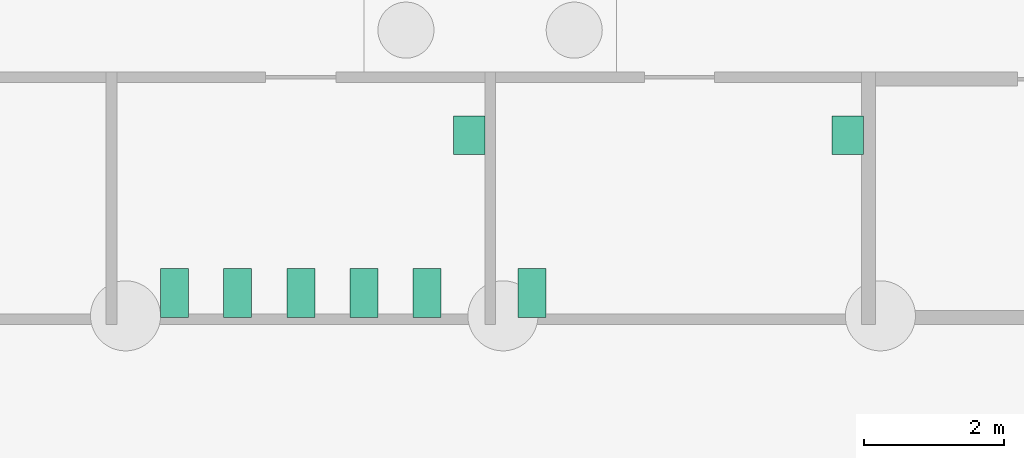
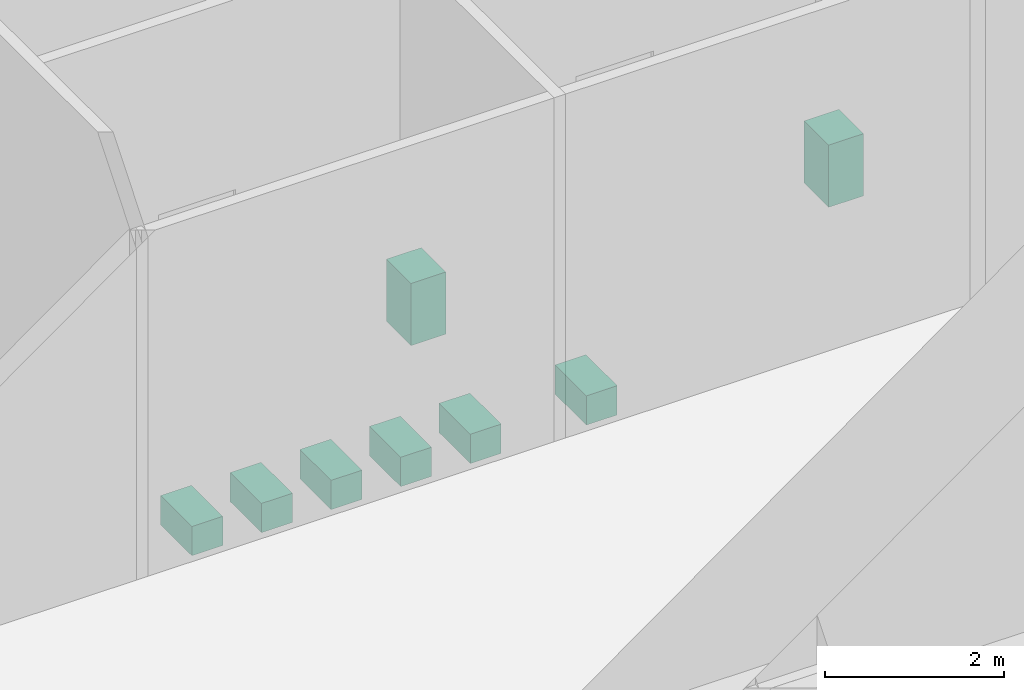
# One storey, part 38 of 39: 8 sanitary terminals.
"""IFC4 building model written with IfcOpenShell, lengths in metres."""

from ifc_helpers import new_model, si_unit, direction, frame, origin, origin_2d, place, context, subcontext, project, spatial, rectangle, extrude, element, save


model = new_model("IFC4")

# Units and contexts
model_context = context("Model", 3, precision=1e-05, world=origin(), true_north=direction((0.0, 1.0)))
body_context = subcontext(model_context, "Body", "Model", "MODEL_VIEW")
ifc_project = project(units=[si_unit("LENGTHUNIT", "METRE"), si_unit("AREAUNIT", "SQUARE_METRE"), si_unit("VOLUMEUNIT", "CUBIC_METRE"), si_unit("PLANEANGLEUNIT", "RADIAN"), si_unit("MASSUNIT", "GRAM", prefix="KILO")], contexts=[model_context])

# Site, building, storey
site_placement = place(None, origin())
site = spatial("IfcSite", under=ifc_project, at=site_placement, CompositionType="ELEMENT")
building_placement = place(site_placement, origin())
building = spatial("IfcBuilding", under=site, at=building_placement, Name="Magnolia Steps Interchange", CompositionType="ELEMENT")
storey_placement = place(building_placement, frame((0.0, 0.0, -11.39990234375)))
storey = spatial("IfcBuildingStorey", under=building, at=storey_placement, Name="B2", CompositionType="ELEMENT", Elevation=-11.39990234375)

# Sanitary terminals
for number, where, z_axis, x_axis, name in (
    (1, (37.89990234375, 59.050048828125, 0.0), (0.0, 0.0, 1.0), (1.0, 0.0, 0.0), "WC pan 1"),
    (2, (38.800048828125, 59.050048828125, 0.0), (0.0, 0.0, 1.0), (1.0, 0.0, 0.0), "WC pan 2"),
    (3, (39.699951171875, 59.050048828125, 0.0), (0.0, 0.0, 1.0), (1.0, 0.0, 0.0), "WC pan 3"),
    (4, (40.60009765625, 59.050048828125, 0.0), (0.0, 0.0, 1.0), (1.0, 0.0, 0.0), "WC pan 4"),
    (5, (41.5, 59.050048828125, 0.0), (0.0, 0.0, 1.0), (1.0, 0.0, 0.0), "WC pan 5"),
):
    element("IfcSanitaryTerminal", number, at=place(storey_placement, frame(where, z_axis=z_axis, x_axis=x_axis)), inside=storey, Name=name, PredefinedType="TOILETPAN", context=body_context, shape_type="SweptSolid", body=[
        extrude(rectangle(XDim=0.39990234375, YDim=0.699951171875, at=origin_2d()), origin(), (0.0, 0.0, 1.0), 0.39990234375),
    ])
sanitary_terminal_1_placement = place(storey_placement, frame((42.10009765625, 61.300048828125, -0.000244140625), z_axis=(0.0, 0.0, 1.0), x_axis=(1.0, 0.0, 0.0)))
element("IfcSanitaryTerminal", 6, at=sanitary_terminal_1_placement, inside=storey, Name="Wash basin 1", PredefinedType="WASHHANDBASIN", context=body_context, shape_type="SweptSolid", body=[
    extrude(rectangle(XDim=0.449951171875, YDim=0.550048828125, at=origin_2d()), origin(), (0.0, 0.0, 1.0), 0.85009765625),
])
sanitary_terminal_2_placement = place(storey_placement, frame((43.0, 59.050048828125, 0.0), z_axis=(0.0, 0.0, 1.0), x_axis=(1.0, 0.0, 0.0)))
element("IfcSanitaryTerminal", 7, at=sanitary_terminal_2_placement, inside=storey, Name="WC pan 1", PredefinedType="TOILETPAN", context=body_context, shape_type="SweptSolid", body=[
    extrude(rectangle(XDim=0.39990234375, YDim=0.699951171875, at=origin_2d()), origin(), (0.0, 0.0, 1.0), 0.39990234375),
])
sanitary_terminal_3_placement = place(storey_placement, frame((47.5, 61.300048828125, -0.000244140625), z_axis=(0.0, 0.0, 1.0), x_axis=(1.0, 0.0, 0.0)))
element("IfcSanitaryTerminal", 8, at=sanitary_terminal_3_placement, inside=storey, Name="Wash basin 1", PredefinedType="WASHHANDBASIN", context=body_context, shape_type="SweptSolid", body=[
    extrude(rectangle(XDim=0.449951171875, YDim=0.550048828125, at=origin_2d()), origin(), (0.0, 0.0, 1.0), 0.85009765625),
])

save(model, "model.ifc")
